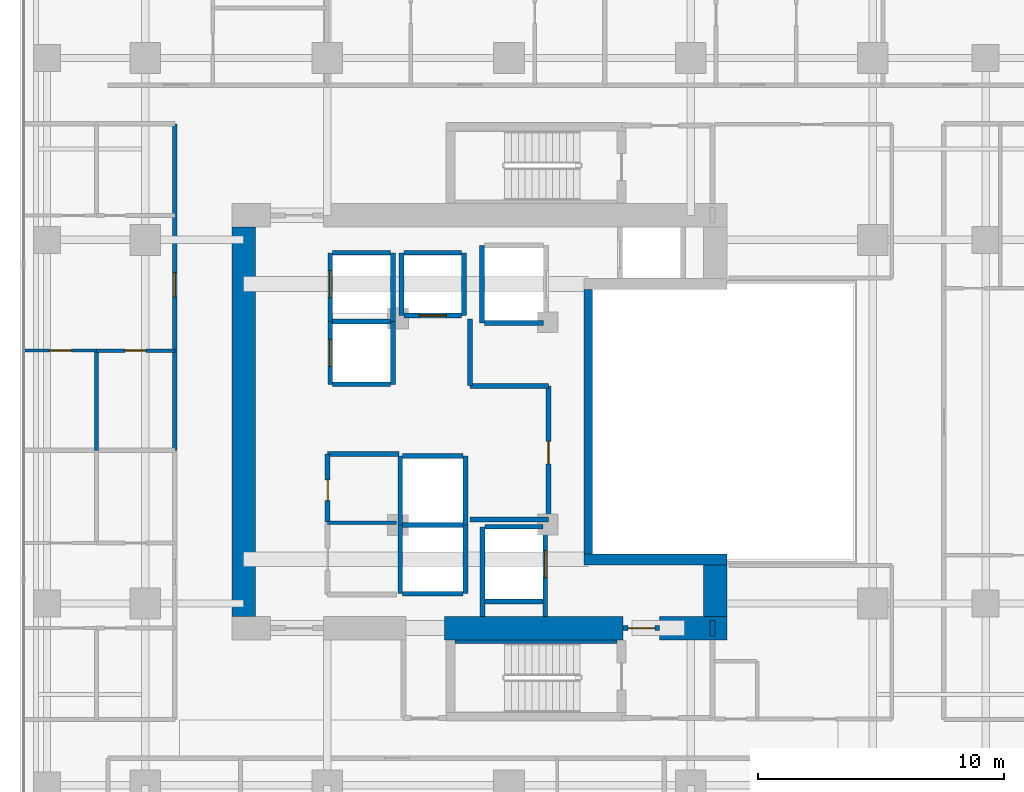
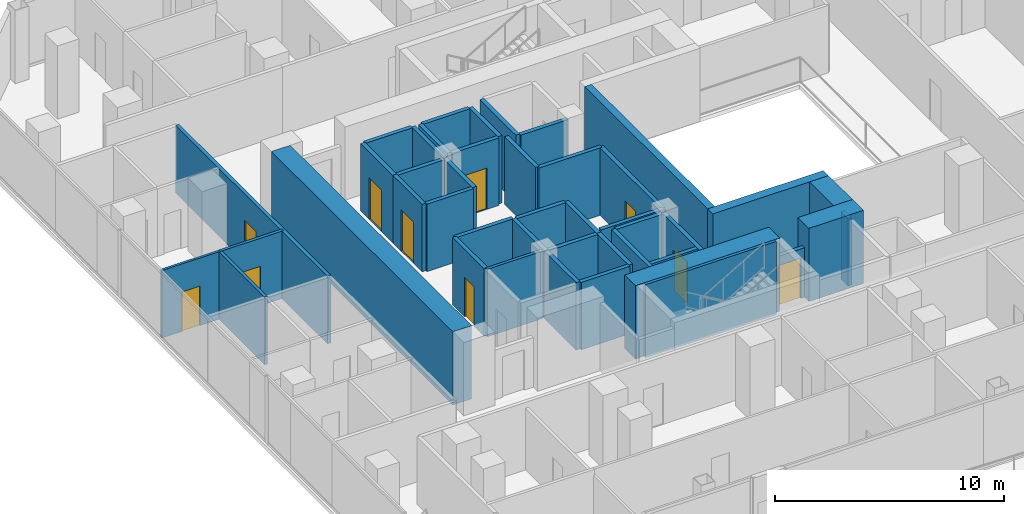
# One storey, part 21 of 27: 44 walls, 10 doors, 10 openings.
"""IFC4 building model written with IfcOpenShell, lengths in metres."""

import ifcopenshell
import ifcopenshell.guid

model = None  # the IFC model being written
_history = None  # IfcOwnerHistory: only IFC2X3 demands one
_inside = {}  # id of a spatial element -> (the spatial element, [elements in it])
_under = {}  # id of a project, library or spatial element -> (it, [spatial elements below it])
_declared = {}  # id of a project -> (the project, [libraries it declares])
_typed = {}  # id of a type object -> (the type object, [elements of that type])
_made_of = {}  # id of a material, layer set ... -> (it, [elements and type objects made of it])


def new_model(schema):
    """Start an empty IFC model of exactly this schema.

    Asked for "IFC4X3", IfcOpenShell would pick the latest addendum, in which some entities
    have other attributes; the version numbers below select the first issue.
    IFC2X3 requires an IfcOwnerHistory on every rooted entity: one is made here for all.
    """
    global model, _history
    if schema == "IFC4X3":
        model = ifcopenshell.file(schema_version=(4, 3, 0, 0))
    else:
        model = ifcopenshell.file(schema=schema)
    _inside.clear()
    _under.clear()
    _declared.clear()
    _typed.clear()
    _made_of.clear()
    _history = None
    if model.schema == "IFC2X3":
        org = make("IfcOrganization", Name="unknown")
        user = make(
            "IfcPersonAndOrganization",
            ThePerson=make("IfcPerson", FamilyName="unknown"),
            TheOrganization=org,
        )
        app = make(
            "IfcApplication",
            ApplicationDeveloper=org,
            Version="unknown",
            ApplicationFullName="unknown",
            ApplicationIdentifier="unknown",
        )
        _history = make(
            "IfcOwnerHistory",
            OwningUser=user,
            OwningApplication=app,
            ChangeAction="ADDED",
            CreationDate=0,
        )
    return model


def make(cls, **values):
    """One entity of the class cls with the attributes given. An attribute that is None is left unset."""
    return model.create_entity(
        cls, **{name: value for name, value in values.items() if value is not None}
    )


def rooted(cls, **values):
    """An entity with a GlobalId (a new one), such as an element, a storey or a relation."""
    return make(cls, GlobalId=ifcopenshell.guid.new(), OwnerHistory=_history, **values)


def si_unit(unit_type, name, prefix=None):
    """IfcSIUnit, for example si_unit("LENGTHUNIT", "METRE", prefix="MILLI")."""
    return make("IfcSIUnit", UnitType=unit_type, Prefix=prefix, Name=name)


def assignment(units):
    """IfcUnitAssignment: the units of a project."""
    return None if units is None else make("IfcUnitAssignment", Units=units)


def point(xyz):
    """IfcCartesianPoint."""
    return None if xyz is None else make("IfcCartesianPoint", Coordinates=xyz)


def direction(xyz):
    """IfcDirection."""
    return None if xyz is None else make("IfcDirection", DirectionRatios=xyz)


def frame(location, z_axis=None, x_axis=None):
    """IfcAxis2Placement3D, a coordinate frame: its origin and axes. An axis left out is left unset."""
    return make(
        "IfcAxis2Placement3D",
        Location=point(location),
        Axis=direction(z_axis),
        RefDirection=direction(x_axis),
    )


def frame_2d(location, x_axis=None):
    """IfcAxis2Placement2D, a coordinate frame in the plane: its origin and x axis."""
    return make(
        "IfcAxis2Placement2D", Location=point(location), RefDirection=direction(x_axis)
    )


def origin():
    """The frame at (0, 0, 0) with its axes left unset."""
    return frame((0.0, 0.0, 0.0))


def place(relative_to, where):
    """IfcLocalPlacement: puts the frame where relative to a parent placement (None: the world)."""
    return make(
        "IfcLocalPlacement", PlacementRelTo=relative_to, RelativePlacement=where
    )


def context(
    kind, dimensions, precision=None, world=None, true_north=None, identifier=None
):
    """IfcGeometricRepresentationContext, for example the 3D "Model" context."""
    return make(
        "IfcGeometricRepresentationContext",
        ContextIdentifier=identifier,
        ContextType=kind,
        CoordinateSpaceDimension=dimensions,
        Precision=precision,
        WorldCoordinateSystem=world,
        TrueNorth=true_north,
    )


def subcontext(parent, identifier, kind, view, scale=None):
    """IfcGeometricRepresentationSubContext, for example "Body" below "Model"."""
    return make(
        "IfcGeometricRepresentationSubContext",
        ContextIdentifier=identifier,
        ContextType=kind,
        ParentContext=parent,
        TargetScale=scale,
        TargetView=view,
    )


def project(units=None, contexts=None):
    """IfcProject with its units and contexts."""
    return rooted(
        "IfcProject",
        Name="project",
        RepresentationContexts=contexts,
        UnitsInContext=assignment(units),
    )


def spatial(cls, under=None, at=None, **own):
    """A site, building, storey or space (cls), placed at a placement, below another one or the project."""
    s = rooted(cls, ObjectPlacement=at, **own)
    if under is not None:
        _under.setdefault(under.id(), (under, []))[1].append(s)
    return s


def profile(cls, at=None, kind="AREA", **sizes):
    """A parametric profile (cls). Its sizes go by their IFC names, for example OverallWidth=200.0."""
    return make(cls, ProfileType=kind, Position=at, **sizes)


def rectangle(**sizes):
    """IfcRectangleProfileDef."""
    return profile("IfcRectangleProfileDef", **sizes)


def extrude(swept, where, along, depth):
    """IfcExtrudedAreaSolid: the profile swept, set in the frame where, extruded along a direction by depth."""
    return make(
        "IfcExtrudedAreaSolid",
        SweptArea=swept,
        Position=where,
        ExtrudedDirection=direction(along),
        Depth=depth,
    )


def shape(context_of_items, identifier, shape_type, items):
    """IfcShapeRepresentation: the items that make up one representation, for example the "Body"."""
    return make(
        "IfcShapeRepresentation",
        ContextOfItems=context_of_items,
        RepresentationIdentifier=identifier,
        RepresentationType=shape_type,
        Items=items,
    )


def material(Name=None, Category=None):
    """IfcMaterial."""
    return make("IfcMaterial", Name=Name, Category=Category)


def layer(
    of_material, thickness, ventilated=None, Name=None, Category=None, Priority=None
):
    """IfcMaterialLayer: one layer of a wall or slab, of a material (None: an air gap)."""
    return make(
        "IfcMaterialLayer",
        Material=of_material,
        LayerThickness=thickness,
        IsVentilated=ventilated,
        Name=Name,
        Category=Category,
        Priority=Priority,
    )


def layer_set(layers, Name=None):
    """IfcMaterialLayerSet."""
    return make("IfcMaterialLayerSet", MaterialLayers=layers, LayerSetName=Name)


def made_of(thing, what):
    """Note that an element or type object is made of a material, layer set ...; save() writes the relation."""
    if what is not None:
        _made_of.setdefault(what.id(), (what, []))[1].append(thing)
    return thing


def type_object(cls, material=None, **own):
    """A type object (cls), such as IfcWallType, which elements share."""
    return made_of(rooted(cls, **own), material)


def element(
    cls,
    number,
    at=None,
    inside=None,
    cuts=None,
    type_object=None,
    material=None,
    context=None,
    identifier="Body",
    shape_type=None,
    held_by="IfcProductDefinitionShape",
    body=None,
    shapes=None,
    **own,
):
    """One element of the class cls, such as IfcWall. Its Tag is "e" and its number.

    at: its placement. inside: the storey or other place that contains it. cuts: it is an
    opening in that element (IfcRelVoidsElement). A single representation is given by context,
    identifier, shape_type and body (its items); several are given by shapes. held_by: the class
    of the entity that holds the representations. save() writes the other relations.
    """
    e = rooted(cls, Tag="e%d" % number, ObjectPlacement=at, **own)
    if body is not None:
        shapes = [shape(context, identifier, shape_type, body)]
    if shapes is not None:
        e.Representation = make(held_by, Representations=shapes)
    if inside is not None:
        _inside.setdefault(inside.id(), (inside, []))[1].append(e)
    if cuts is not None:
        rooted(
            "IfcRelVoidsElement", RelatingBuildingElement=cuts, RelatedOpeningElement=e
        )
    if type_object is not None:
        _typed.setdefault(type_object.id(), (type_object, []))[1].append(e)
    return made_of(e, material)


def fill(opening, filler):
    """IfcRelFillsElement: the door or window that sits in an opening."""
    return rooted(
        "IfcRelFillsElement",
        RelatingOpeningElement=opening,
        RelatedBuildingElement=filler,
    )


def aggregate(whole, parts):
    """IfcRelAggregates: a whole, such as a stair, and the parts it consists of."""
    return rooted("IfcRelAggregates", RelatingObject=whole, RelatedObjects=parts)


def save(model, path):
    """Write the relations noted so far, then the file.

    IfcRelAggregates (storeys below a building ...), IfcRelContainedInSpatialStructure (elements
    in a storey), IfcRelDefinesByType, IfcRelAssociatesMaterial and IfcRelDeclares: one each for
    every whole, place, type object, material and project.
    """
    for whole, parts in _under.values():
        aggregate(whole, parts)
    for where, things in _inside.values():
        rooted(
            "IfcRelContainedInSpatialStructure",
            RelatedElements=things,
            RelatingStructure=where,
        )
    for kind, things in _typed.values():
        rooted("IfcRelDefinesByType", RelatedObjects=things, RelatingType=kind)
    for what, things in _made_of.values():
        rooted("IfcRelAssociatesMaterial", RelatedObjects=things, RelatingMaterial=what)
    for by, libraries in _declared.values():
        rooted("IfcRelDeclares", RelatingContext=by, RelatedDefinitions=libraries)
    model.write(path)


model = new_model("IFC4")

# Units and contexts
model_context = context("Model", 3, precision=1e-05, world=origin(), true_north=direction((0.0, 1.0)))
body_context = subcontext(model_context, "Body", "Model", "MODEL_VIEW")
ifc_project = project(units=[si_unit("LENGTHUNIT", "METRE"), si_unit("AREAUNIT", "SQUARE_METRE"), si_unit("VOLUMEUNIT", "CUBIC_METRE"), si_unit("PLANEANGLEUNIT", "RADIAN"), si_unit("MASSUNIT", "GRAM", prefix="KILO")], contexts=[model_context])

# Site, building, storey
site_placement = place(None, origin())
site = spatial("IfcSite", under=ifc_project, at=site_placement, CompositionType="ELEMENT")
building_placement = place(site_placement, origin())
building = spatial("IfcBuilding", under=site, at=building_placement, Name="Khorvyn Point Tower", CompositionType="ELEMENT")
storey_placement = place(building_placement, frame((0.0, 0.0, 152.39990234375)))
storey = spatial("IfcBuildingStorey", under=building, at=storey_placement, Name="L38", CompositionType="ELEMENT", Elevation=152.39990234375)

# Wall, opening, door
ifc_material_1 = material(Name="Double acoustic gypsum on twin steel stud", Category="steel")
ifc_layer_1 = layer(ifc_material_1, 0.179931640625)
ifc_layer_set_1 = layer_set([ifc_layer_1], Name="Acoustic Double-Stud Apartment Demising Wall 180")
wall_type_1 = type_object("IfcWallType", Name="Acoustic Double-Stud Apartment Demising Wall 180", PredefinedType="PARTITIONING", material=ifc_layer_set_1)
wall_1_placement = place(storey_placement, frame((-13.60009765625, -1.1640625, 0.0), z_axis=(0.0, 0.0, 1.0), x_axis=(0.0, 1.0, 0.0)))
wall_1 = element("IfcWall", 1, at=wall_1_placement, inside=storey, type_object=wall_type_1, Name="Wall", PredefinedType="PARTITIONING", context=body_context, shape_type="SweptSolid", body=[
    extrude(rectangle(XDim=13.2841796875, YDim=0.179931640625, at=frame_2d((6.64208984375, 0.0))), origin(), (0.0, 0.0, 1.0), 3.60009765625),
])
opening_1_placement = place(wall_1_placement, frame((6.231201171875, 0.0, 0.0)))
opening_1 = element("IfcOpeningElement", 2, at=opening_1_placement, cuts=wall_1, Name="Opening ID-AP60", PredefinedType="OPENING", context=body_context, shape_type="SweptSolid", body=[
    extrude(rectangle(XDim=1.0, YDim=2.199951171875, at=frame_2d((0.5, 1.10009765625))), frame((0.0, 0.099853515625, 0.0), z_axis=(0.0, -1.0, 0.0), x_axis=(1.0, 0.0, 0.0)), (0.0, 0.0, 1.0), 0.199951171875),
])
ifc_material_2 = material(Name="Engineered hardwood fire-rated leaf", Category="wood")
door_type_1 = type_object("IfcDoorType", Name="Acoustic Solid-Core Timber Apartment Entrance Door 1000x2200", OperationType="NOTDEFINED", PredefinedType="DOOR", material=ifc_material_2)
door_1_placement = place(opening_1_placement, origin())
door_1 = element("IfcDoor", 3, at=door_1_placement, inside=storey, type_object=door_type_1, Name="Door", OperationType="SINGLE_SWING_LEFT", OverallHeight=2.199951171875, OverallWidth=1.0, PredefinedType="DOOR", context=body_context, shape_type="SweptSolid", body=[
    extrude(rectangle(XDim=1.0, YDim=2.199951171875, at=frame_2d((0.5, 1.10009765625))), frame((0.0, 0.02490234375, 0.0), z_axis=(0.0, -1.0, 0.0), x_axis=(1.0, 0.0, 0.0)), (0.0, 0.0, 1.0), 0.050048828125),
])
fill(opening_1, door_1)

# Wall
ifc_material_3 = material(Name="Concrete C40/50", Category="concrete")
ifc_layer_2 = layer(ifc_material_3, 0.449951171875)
ifc_layer_set_2 = layer_set([ifc_layer_2], Name="Concrete C40/50 Core Shear Wall 450")
wall_type_2 = type_object("IfcWallType", Name="Concrete C40/50 Core Shear Wall 450", PredefinedType="SHEAR", material=ifc_layer_set_2)
wall_2_placement = place(storey_placement, frame((3.044921875, -5.60009765625, 0.0), z_axis=(0.0, 0.0, 1.0), x_axis=(1.0, 0.0, 0.0)))
element("IfcWall", 4, at=wall_2_placement, inside=storey, type_object=wall_type_2, Name="Wall", PredefinedType="SHEAR", context=body_context, shape_type="SweptSolid", body=[
    extrude(rectangle(XDim=5.830078125, YDim=0.449951171875, at=frame_2d((2.9150390625, 0.0))), origin(), (0.0, 0.0, 1.0), 3.900146484375),
])

# Wall, opening, door
ifc_layer_3 = layer(ifc_material_3, 0.199951171875)
ifc_layer_set_3 = layer_set([ifc_layer_3], Name="Concrete C40/50 Fire-Lobby Compartment Wall 200")
wall_type_3 = type_object("IfcWallType", Name="Concrete C40/50 Fire-Lobby Compartment Wall 200", PredefinedType="SOLIDWALL", material=ifc_layer_set_3)
wall_3_placement = place(storey_placement, frame((4.64990234375, -8.39990234375, 0.0), z_axis=(0.0, 0.0, 1.0), x_axis=(1.0, 0.0, 0.0)))
wall_3 = element("IfcWall", 5, at=wall_3_placement, inside=storey, type_object=wall_type_3, Name="Wall", PredefinedType="SOLIDWALL", context=body_context, shape_type="SweptSolid", body=[
    extrude(rectangle(XDim=1.47021484375, YDim=0.199951171875, at=frame_2d((0.735107421875, 0.0))), origin(), (0.0, 0.0, 1.0), 2.64013671875),
])
opening_2_placement = place(wall_3_placement, frame((0.18505859375, 0.0, 0.0)))
opening_2 = element("IfcOpeningElement", 6, at=opening_2_placement, cuts=wall_3, Name="Opening ID-FL90", PredefinedType="OPENING", context=body_context, shape_type="SweptSolid", body=[
    extrude(rectangle(XDim=1.10009765625, YDim=2.14990234375, at=frame_2d((0.550048828125, 1.074951171875))), frame((0.0, 0.10986328125, 0.0), z_axis=(0.0, -1.0, 0.0), x_axis=(1.0, 0.0, 0.0)), (0.0, 0.0, 1.0), 0.219970703125),
])
ifc_material_4 = material(Name="Galvanised powder-coated steel", Category="steel")
door_type_2 = type_object("IfcDoorType", Name="Fire-Rated Steel Lobby and Stair Door 1100x2150", OperationType="NOTDEFINED", PredefinedType="DOOR", material=ifc_material_4)
door_2_placement = place(opening_2_placement, origin())
door_2 = element("IfcDoor", 7, at=door_2_placement, inside=storey, type_object=door_type_2, Name="Door", OperationType="SINGLE_SWING_RIGHT", OverallHeight=2.14990234375, OverallWidth=1.10009765625, PredefinedType="DOOR", context=body_context, shape_type="SweptSolid", body=[
    extrude(rectangle(XDim=1.10009765625, YDim=2.14990234375, at=frame_2d((0.550048828125, 1.074951171875))), frame((0.0, 0.02490234375, 0.0), z_axis=(0.0, -1.0, 0.0), x_axis=(1.0, 0.0, 0.0)), (0.0, 0.0, 1.0), 0.050048828125),
])
fill(opening_2, door_2)

wall_4_placement = place(storey_placement, frame((1.610107421875, -3.97998046875, 0.0), z_axis=(0.0, 0.0, 1.0), x_axis=(0.0, 1.0, 0.0)))
wall_4 = element("IfcWall", 8, at=wall_4_placement, inside=storey, type_object=wall_type_3, Name="Wall", PredefinedType="SOLIDWALL", context=body_context, shape_type="SweptSolid", body=[
    extrude(rectangle(XDim=5.43994140625, YDim=0.199951171875, at=frame_2d((2.719970703125, 0.0))), origin(), (0.0, 0.0, 1.0), 3.60009765625),
])
opening_3_placement = place(wall_4_placement, frame((2.260009765625, 0.0, 0.0)))
opening_3 = element("IfcOpeningElement", 9, at=opening_3_placement, cuts=wall_4, Name="Opening ID-RS60", PredefinedType="OPENING", context=body_context, shape_type="SweptSolid", body=[
    extrude(rectangle(XDim=0.919921875, YDim=2.10009765625, at=frame_2d((0.4599609375, 1.050048828125))), frame((0.0, 0.10986328125, 0.0), z_axis=(0.0, -1.0, 0.0), x_axis=(1.0, 0.0, 0.0)), (0.0, 0.0, 1.0), 0.219970703125),
])
door_type_3 = type_object("IfcDoorType", Name="Fire-Rated Riser and Store Steel Door 920x2100", OperationType="NOTDEFINED", PredefinedType="DOOR", material=ifc_material_4)
door_3_placement = place(opening_3_placement, origin())
door_3 = element("IfcDoor", 10, at=door_3_placement, inside=storey, type_object=door_type_3, Name="Door", OperationType="SINGLE_SWING_LEFT", OverallHeight=2.10009765625, OverallWidth=0.919921875, PredefinedType="DOOR", context=body_context, shape_type="SweptSolid", body=[
    extrude(rectangle(XDim=0.919921875, YDim=2.10009765625, at=frame_2d((0.4599609375, 1.050048828125))), frame((0.0, 0.02490234375, 0.0), z_axis=(0.0, -1.0, 0.0), x_axis=(1.0, 0.0, 0.0)), (0.0, 0.0, 1.0), 0.050048828125),
])
fill(opening_3, door_3)

wall_5_placement = place(storey_placement, frame((-7.3798828125, -4.080078125, 0.0), z_axis=(0.0, 0.0, 1.0), x_axis=(0.0, 1.0, 0.0)))
wall_5 = element("IfcWall", 11, at=wall_5_placement, inside=storey, type_object=wall_type_3, Name="Wall", PredefinedType="SOLIDWALL", context=body_context, shape_type="SweptSolid", body=[
    extrude(rectangle(XDim=2.760009765625, YDim=0.199951171875, at=frame_2d((1.3798828125, 0.0))), origin(), (0.0, 0.0, 1.0), 3.60009765625),
])
opening_4_placement = place(wall_5_placement, frame((0.86669921875, 0.0, 0.0)))
opening_4 = element("IfcOpeningElement", 12, at=opening_4_placement, cuts=wall_5, Name="Opening ID-WC85", PredefinedType="OPENING", context=body_context, shape_type="SweptSolid", body=[
    extrude(rectangle(XDim=0.85009765625, YDim=2.10009765625, at=frame_2d((0.425048828125, 1.050048828125))), frame((0.0, 0.10986328125, 0.0), z_axis=(0.0, -1.0, 0.0), x_axis=(1.0, 0.0, 0.0)), (0.0, 0.0, 1.0), 0.219970703125),
])
ifc_material_5 = material(Name="High-pressure laminate on moisture-resistant core", Category="wood")
door_type_4 = type_object("IfcDoorType", Name="Moisture-Resistant Accessible Washroom Door 850x2100", OperationType="NOTDEFINED", PredefinedType="DOOR", material=ifc_material_5)
door_4_placement = place(opening_4_placement, origin())
door_4 = element("IfcDoor", 13, at=door_4_placement, inside=storey, type_object=door_type_4, Name="Door", OperationType="SINGLE_SWING_LEFT", OverallHeight=2.10009765625, OverallWidth=0.85009765625, PredefinedType="DOOR", context=body_context, shape_type="SweptSolid", body=[
    extrude(rectangle(XDim=0.85009765625, YDim=2.10009765625, at=frame_2d((0.425048828125, 1.050048828125))), frame((0.0, 0.02490234375, 0.0), z_axis=(0.0, -1.0, 0.0), x_axis=(1.0, 0.0, 0.0)), (0.0, 0.0, 1.0), 0.050048828125),
])
fill(opening_4, door_4)

# Walls
wall_6_placement = place(storey_placement, frame((-7.3798828125, -1.320068359375, 0.0), z_axis=(0.0, 0.0, 1.0), x_axis=(1.0, 0.0, 0.0)))
element("IfcWall", 14, at=wall_6_placement, inside=storey, type_object=wall_type_3, Name="Wall", PredefinedType="SOLIDWALL", context=body_context, shape_type="SweptSolid", body=[
    extrude(rectangle(XDim=2.909912109375, YDim=0.199951171875, at=frame_2d((1.455078125, 0.0))), origin(), (0.0, 0.0, 1.0), 3.60009765625),
])
wall_7_placement = place(storey_placement, frame((-1.580078125, 1.47998046875, 0.0), z_axis=(0.0, 0.0, 1.0), x_axis=(0.0, 1.0, 0.0)))
element("IfcWall", 15, at=wall_7_placement, inside=storey, type_object=wall_type_3, Name="Wall", PredefinedType="SOLIDWALL", context=body_context, shape_type="SweptSolid", body=[
    extrude(rectangle(XDim=2.699951171875, YDim=0.199951171875, at=frame_2d((1.35009765625, 0.0))), origin(), (0.0, 0.0, 1.0), 3.60009765625),
])
for number, where, z_axis, x_axis, name in (
    (16, (-1.580078125, -3.97998046875, 0.0), (0.0, 0.0, 1.0), (1.0, 0.0, 0.0), "Wall"),
    (17, (-1.580078125, 1.4599609375, 0.0), (0.0, 0.0, 1.0), (1.0, 0.0, 0.0), "Wall"),
):
    element("IfcWall", number, at=place(storey_placement, frame(where, z_axis=z_axis, x_axis=x_axis)), inside=storey, type_object=wall_type_3, Name=name, PredefinedType="SOLIDWALL", context=body_context, shape_type="SweptSolid", body=[
        extrude(rectangle(XDim=3.190185546875, YDim=0.199951171875, at=frame_2d((1.59521484375, 0.0))), origin(), (0.0, 0.0, 1.0), 3.60009765625),
    ])
wall_8_placement = place(storey_placement, frame((8.280029296875, -8.72509765625, 0.0), z_axis=(0.0, 0.0, 1.0), x_axis=(0.0, 1.0, 0.0)))
element("IfcWall", 18, at=wall_8_placement, inside=storey, type_object=wall_type_3, Name="Wall", PredefinedType="SOLIDWALL", context=body_context, shape_type="SweptSolid", body=[
    extrude(rectangle(XDim=0.625, YDim=0.199951171875, at=frame_2d((0.3125, 0.0))), origin(), (0.0, 0.0, 1.0), 3.60009765625),
])
ifc_layer_4 = layer(ifc_material_3, 0.25)
ifc_layer_set_4 = layer_set([ifc_layer_4], Name="Concrete C40/50 Stair Inner Cheek Structural Wall 250")
wall_type_4 = type_object("IfcWallType", Name="Concrete C40/50 Stair Inner Cheek Structural Wall 250", PredefinedType="SHEAR", material=ifc_layer_set_4)
wall_9_placement = place(storey_placement, frame((-2.199951171875, -8.949951171875, 0.0), z_axis=(0.0, 0.0, 1.0), x_axis=(1.0, 0.0, 0.0)))
element("IfcWall", 19, at=wall_9_placement, inside=storey, type_object=wall_type_4, Name="Wall", PredefinedType="SHEAR", context=body_context, shape_type="SweptSolid", body=[
    extrude(rectangle(XDim=6.599853515625, YDim=0.14990234375, at=frame_2d((3.2998046875, 0.0))), origin(), (0.0, 0.0, 1.0), 3.900146484375),
])
ifc_layer_5 = layer(ifc_material_3, 0.35009765625)
ifc_layer_set_5 = layer_set([ifc_layer_5], Name="Concrete C40/50 Stair Shaft Structural Wall 350")
wall_type_5 = type_object("IfcWallType", Name="Concrete C40/50 Stair Shaft Structural Wall 350", PredefinedType="SHEAR", material=ifc_layer_set_5)
wall_10_placement = place(storey_placement, frame((3.219970703125, -5.375, 0.0), z_axis=(0.0, 0.0, 1.0), x_axis=(0.0, 1.0, 0.0)))
element("IfcWall", 20, at=wall_10_placement, inside=storey, type_object=wall_type_5, Name="Wall", PredefinedType="SHEAR", context=body_context, shape_type="SweptSolid", body=[
    extrude(rectangle(XDim=10.75, YDim=0.35009765625, at=frame_2d((5.375, 0.0))), origin(), (0.0, 0.0, 1.0), 3.900146484375),
])

# Wall, opening, door
ifc_layer_6 = layer(ifc_material_3, 0.199951171875)
ifc_layer_set_6 = layer_set([ifc_layer_6], Name="Concrete C40/50 Structural Hoistway and Stair Shaft Wall 200")
wall_type_6 = type_object("IfcWallType", Name="Concrete C40/50 Structural Hoistway and Stair Shaft Wall 200", PredefinedType="SHEAR", material=ifc_layer_set_6)
wall_11_placement = place(storey_placement, frame((-7.27490234375, 1.52490234375, 0.0), z_axis=(0.0, 0.0, 1.0), x_axis=(0.0, 1.0, 0.0)))
wall_11 = element("IfcWall", 21, at=wall_11_placement, inside=storey, type_object=wall_type_6, Name="Wall", PredefinedType="SHEAR", context=body_context, shape_type="SweptSolid", body=[
    extrude(rectangle(XDim=2.550048828125, YDim=0.199951171875, at=frame_2d((1.27490234375, 0.0))), origin(), (0.0, 0.0, 1.0), 3.60009765625),
])
opening_5_placement = place(wall_11_placement, frame((0.72509765625, 0.0, 0.0)))
opening_5 = element("IfcOpeningElement", 22, at=opening_5_placement, cuts=wall_11, Name="Opening LD-1122", PredefinedType="OPENING", context=body_context, shape_type="SweptSolid", body=[
    extrude(rectangle(XDim=1.10009765625, YDim=2.199951171875, at=frame_2d((0.550048828125, 1.10009765625))), frame((0.0, 0.10986328125, 0.0), z_axis=(0.0, -1.0, 0.0), x_axis=(1.0, 0.0, 0.0)), (0.0, 0.0, 1.0), 0.219970703125),
])
ifc_material_6 = material(Name="Stainless steel 1.4301", Category="steel")
door_type_5 = type_object("IfcDoorType", Name="Stainless Steel Automatic Sliding Lift Landing Door 1100x2200", OperationType="SLIDING_TO_LEFT", PredefinedType="DOOR", material=ifc_material_6)
door_5_placement = place(opening_5_placement, origin())
door_5 = element("IfcDoor", 23, at=door_5_placement, inside=storey, type_object=door_type_5, Name="L38 RM-01 Sliding Lift Landing Door", OperationType="SLIDING_TO_LEFT", OverallHeight=2.199951171875, OverallWidth=1.10009765625, PredefinedType="DOOR", context=body_context, shape_type="SweptSolid", body=[
    extrude(rectangle(XDim=1.10009765625, YDim=2.199951171875, at=frame_2d((0.550048828125, 1.10009765625))), frame((0.0, 0.02490234375, 0.0), z_axis=(0.0, -1.0, 0.0), x_axis=(1.0, 0.0, 0.0)), (0.0, 0.0, 1.0), 0.050048828125),
])
fill(opening_5, door_5)

# Walls
wall_12_placement = place(storey_placement, frame((-4.72509765625, 1.52490234375, 0.0), z_axis=(0.0, 0.0, 1.0), x_axis=(0.0, 1.0, 0.0)))
element("IfcWall", 24, at=wall_12_placement, inside=storey, type_object=wall_type_6, Name="Wall", PredefinedType="SHEAR", context=body_context, shape_type="SweptSolid", body=[
    extrude(rectangle(XDim=2.550048828125, YDim=0.199951171875, at=frame_2d((1.27490234375, 0.0))), origin(), (0.0, 0.0, 1.0), 3.60009765625),
])
for number, where, z_axis, x_axis, name in (
    (25, (-7.175048828125, 1.52490234375, 0.0), (0.0, 0.0, 1.0), (1.0, 0.0, 0.0), "Wall"),
    (26, (-7.175048828125, 4.074951171875, 0.0), (0.0, 0.0, 1.0), (1.0, 0.0, 0.0), "Wall"),
):
    element("IfcWall", number, at=place(storey_placement, frame(where, z_axis=z_axis, x_axis=x_axis)), inside=storey, type_object=wall_type_6, Name=name, PredefinedType="SHEAR", context=body_context, shape_type="SweptSolid", body=[
        extrude(rectangle(XDim=2.35009765625, YDim=0.199951171875, at=frame_2d((1.175048828125, 0.0))), origin(), (0.0, 0.0, 1.0), 3.60009765625),
    ])

# Wall, opening, door
wall_13_placement = place(storey_placement, frame((-7.27490234375, 4.074951171875, 0.0), z_axis=(0.0, 0.0, 1.0), x_axis=(0.0, 1.0, 0.0)))
wall_13 = element("IfcWall", 27, at=wall_13_placement, inside=storey, type_object=wall_type_6, Name="Wall", PredefinedType="SHEAR", context=body_context, shape_type="SweptSolid", body=[
    extrude(rectangle(XDim=2.800048828125, YDim=0.199951171875, at=frame_2d((1.39990234375, 0.0))), origin(), (0.0, 0.0, 1.0), 3.60009765625),
])
opening_6_placement = place(wall_13_placement, frame((0.97509765625, 0.0, 0.0)))
opening_6 = element("IfcOpeningElement", 28, at=opening_6_placement, cuts=wall_13, Name="Opening LD-1122", PredefinedType="OPENING", context=body_context, shape_type="SweptSolid", body=[
    extrude(rectangle(XDim=1.10009765625, YDim=2.199951171875, at=frame_2d((0.550048828125, 1.10009765625))), frame((0.0, 0.10986328125, 0.0), z_axis=(0.0, -1.0, 0.0), x_axis=(1.0, 0.0, 0.0)), (0.0, 0.0, 1.0), 0.219970703125),
])
door_6_placement = place(opening_6_placement, origin())
door_6 = element("IfcDoor", 29, at=door_6_placement, inside=storey, type_object=door_type_5, Name="L38 RM-02 Sliding Lift Landing Door", OperationType="SLIDING_TO_LEFT", OverallHeight=2.199951171875, OverallWidth=1.10009765625, PredefinedType="DOOR", context=body_context, shape_type="SweptSolid", body=[
    extrude(rectangle(XDim=1.10009765625, YDim=2.199951171875, at=frame_2d((0.550048828125, 1.10009765625))), frame((0.0, 0.02490234375, 0.0), z_axis=(0.0, -1.0, 0.0), x_axis=(1.0, 0.0, 0.0)), (0.0, 0.0, 1.0), 0.050048828125),
])
fill(opening_6, door_6)

# Walls
wall_14_placement = place(storey_placement, frame((-4.72509765625, 4.074951171875, 0.0), z_axis=(0.0, 0.0, 1.0), x_axis=(0.0, 1.0, 0.0)))
element("IfcWall", 30, at=wall_14_placement, inside=storey, type_object=wall_type_6, Name="Wall", PredefinedType="SHEAR", context=body_context, shape_type="SweptSolid", body=[
    extrude(rectangle(XDim=2.800048828125, YDim=0.199951171875, at=frame_2d((1.39990234375, 0.0))), origin(), (0.0, 0.0, 1.0), 3.60009765625),
])
wall_15_placement = place(storey_placement, frame((-7.175048828125, 6.875, 0.0), z_axis=(0.0, 0.0, 1.0), x_axis=(1.0, 0.0, 0.0)))
element("IfcWall", 31, at=wall_15_placement, inside=storey, type_object=wall_type_6, Name="Wall", PredefinedType="SHEAR", context=body_context, shape_type="SweptSolid", body=[
    extrude(rectangle(XDim=2.35009765625, YDim=0.199951171875, at=frame_2d((1.175048828125, 0.0))), origin(), (0.0, 0.0, 1.0), 3.60009765625),
])
for number, where, z_axis, x_axis, name in (
    (32, (-4.375, 4.324951171875, 0.0), (0.0, 0.0, 1.0), (0.0, 1.0, 0.0), "Wall"),
    (33, (-1.824951171875, 4.324951171875, 0.0), (0.0, 0.0, 1.0), (0.0, 1.0, 0.0), "Wall"),
):
    element("IfcWall", number, at=place(storey_placement, frame(where, z_axis=z_axis, x_axis=x_axis)), inside=storey, type_object=wall_type_6, Name=name, PredefinedType="SHEAR", context=body_context, shape_type="SweptSolid", body=[
        extrude(rectangle(XDim=2.550048828125, YDim=0.199951171875, at=frame_2d((1.27490234375, 0.0))), origin(), (0.0, 0.0, 1.0), 3.60009765625),
    ])

# Wall, opening, door
wall_16_placement = place(storey_placement, frame((-4.27490234375, 4.324951171875, 0.0), z_axis=(0.0, 0.0, 1.0), x_axis=(1.0, 0.0, 0.0)))
wall_16 = element("IfcWall", 34, at=wall_16_placement, inside=storey, type_object=wall_type_6, Name="Wall", PredefinedType="SHEAR", context=body_context, shape_type="SweptSolid", body=[
    extrude(rectangle(XDim=2.349853515625, YDim=0.199951171875, at=frame_2d((1.1748046875, 0.0))), origin(), (0.0, 0.0, 1.0), 3.60009765625),
])
opening_7_placement = place(wall_16_placement, frame((0.625, 0.0, 0.0)))
opening_7 = element("IfcOpeningElement", 35, at=opening_7_placement, cuts=wall_16, Name="Opening LD-1122", PredefinedType="OPENING", context=body_context, shape_type="SweptSolid", body=[
    extrude(rectangle(XDim=1.10009765625, YDim=2.199951171875, at=frame_2d((0.550048828125, 1.10009765625))), frame((0.0, 0.10986328125, 0.0), z_axis=(0.0, -1.0, 0.0), x_axis=(1.0, 0.0, 0.0)), (0.0, 0.0, 1.0), 0.219970703125),
])
door_7_placement = place(opening_7_placement, origin())
door_7 = element("IfcDoor", 36, at=door_7_placement, inside=storey, type_object=door_type_5, Name="L38 RM-03 Sliding Lift Landing Door", OperationType="SLIDING_TO_LEFT", OverallHeight=2.199951171875, OverallWidth=1.10009765625, PredefinedType="DOOR", context=body_context, shape_type="SweptSolid", body=[
    extrude(rectangle(XDim=1.10009765625, YDim=2.199951171875, at=frame_2d((0.550048828125, 1.10009765625))), frame((0.0, 0.02490234375, 0.0), z_axis=(0.0, -1.0, 0.0), x_axis=(1.0, 0.0, 0.0)), (0.0, 0.0, 1.0), 0.050048828125),
])
fill(opening_7, door_7)

# Walls
wall_17_placement = place(storey_placement, frame((-4.27490234375, 6.875, 0.0), z_axis=(0.0, 0.0, 1.0), x_axis=(1.0, 0.0, 0.0)))
element("IfcWall", 37, at=wall_17_placement, inside=storey, type_object=wall_type_6, Name="Wall", PredefinedType="SHEAR", context=body_context, shape_type="SweptSolid", body=[
    extrude(rectangle(XDim=2.349853515625, YDim=0.199951171875, at=frame_2d((1.1748046875, 0.0))), origin(), (0.0, 0.0, 1.0), 3.60009765625),
])
for number, where, z_axis, x_axis, name in (
    (38, (-4.425048828125, -7.0, 0.0), (0.0, 0.0, 1.0), (0.0, 1.0, 0.0), "Wall"),
    (39, (-1.77490234375, -7.0, 0.0), (0.0, 0.0, 1.0), (0.0, 1.0, 0.0), "Wall"),
):
    element("IfcWall", number, at=place(storey_placement, frame(where, z_axis=z_axis, x_axis=x_axis)), inside=storey, type_object=wall_type_6, Name=name, PredefinedType="SHEAR", context=body_context, shape_type="SweptSolid", body=[
        extrude(rectangle(XDim=2.800048828125, YDim=0.199951171875, at=frame_2d((1.39990234375, 0.0))), origin(), (0.0, 0.0, 1.0), 3.60009765625),
    ])
for number, where, z_axis, x_axis, name in (
    (40, (-4.324951171875, -7.0, 0.0), (0.0, 0.0, 1.0), (1.0, 0.0, 0.0), "Wall"),
    (41, (-4.324951171875, -4.199951171875, 0.0), (0.0, 0.0, 1.0), (1.0, 0.0, 0.0), "Wall"),
):
    element("IfcWall", number, at=place(storey_placement, frame(where, z_axis=z_axis, x_axis=x_axis)), inside=storey, type_object=wall_type_6, Name=name, PredefinedType="SHEAR", context=body_context, shape_type="SweptSolid", body=[
        extrude(rectangle(XDim=2.449951171875, YDim=0.199951171875, at=frame_2d((1.22509765625, 0.0))), origin(), (0.0, 0.0, 1.0), 3.60009765625),
    ])
for number, where, z_axis, x_axis, name in (
    (42, (-4.425048828125, -4.199951171875, 0.0), (0.0, 0.0, 1.0), (0.0, 1.0, 0.0), "Wall"),
    (43, (-1.77490234375, -4.199951171875, 0.0), (0.0, 0.0, 1.0), (0.0, 1.0, 0.0), "Wall"),
):
    element("IfcWall", number, at=place(storey_placement, frame(where, z_axis=z_axis, x_axis=x_axis)), inside=storey, type_object=wall_type_6, Name=name, PredefinedType="SHEAR", context=body_context, shape_type="SweptSolid", body=[
        extrude(rectangle(XDim=2.800048828125, YDim=0.199951171875, at=frame_2d((1.39990234375, 0.0))), origin(), (0.0, 0.0, 1.0), 3.60009765625),
    ])
wall_18_placement = place(storey_placement, frame((-4.324951171875, -1.39990234375, 0.0), z_axis=(0.0, 0.0, 1.0), x_axis=(1.0, 0.0, 0.0)))
element("IfcWall", 44, at=wall_18_placement, inside=storey, type_object=wall_type_6, Name="Wall", PredefinedType="SHEAR", context=body_context, shape_type="SweptSolid", body=[
    extrude(rectangle(XDim=2.449951171875, YDim=0.199951171875, at=frame_2d((1.22509765625, 0.0))), origin(), (0.0, 0.0, 1.0), 3.60009765625),
])
wall_19_placement = place(storey_placement, frame((-1.10009765625, 4.02490234375, 0.0), z_axis=(0.0, 0.0, 1.0), x_axis=(0.0, 1.0, 0.0)))
element("IfcWall", 45, at=wall_19_placement, inside=storey, type_object=wall_type_6, Name="Wall", PredefinedType="SHEAR", context=body_context, shape_type="SweptSolid", body=[
    extrude(rectangle(XDim=3.150146484375, YDim=0.199951171875, at=frame_2d((1.5751953125, 0.0))), origin(), (0.0, 0.0, 1.0), 3.60009765625),
])
wall_20_placement = place(storey_placement, frame((-1.0, 4.02490234375, 0.0), z_axis=(0.0, 0.0, 1.0), x_axis=(1.0, 0.0, 0.0)))
element("IfcWall", 46, at=wall_20_placement, inside=storey, type_object=wall_type_6, Name="Wall", PredefinedType="SHEAR", context=body_context, shape_type="SweptSolid", body=[
    extrude(rectangle(XDim=2.39990234375, YDim=0.199951171875, at=frame_2d((1.199951171875, 0.0))), origin(), (0.0, 0.0, 1.0), 3.60009765625),
])
wall_21_placement = place(storey_placement, frame((-1.074951171875, -7.925048828125, 0.0), z_axis=(0.0, 0.0, 1.0), x_axis=(0.0, 1.0, 0.0)))
element("IfcWall", 47, at=wall_21_placement, inside=storey, type_object=wall_type_6, Name="Wall", PredefinedType="SHEAR", context=body_context, shape_type="SweptSolid", body=[
    extrude(rectangle(XDim=3.650146484375, YDim=0.199951171875, at=frame_2d((1.8251953125, 0.0))), origin(), (0.0, 0.0, 1.0), 3.60009765625),
])

# Wall, opening, door
wall_22_placement = place(storey_placement, frame((1.47509765625, -7.925048828125, 0.0), z_axis=(0.0, 0.0, 1.0), x_axis=(0.0, 1.0, 0.0)))
wall_22 = element("IfcWall", 48, at=wall_22_placement, inside=storey, type_object=wall_type_6, Name="Wall", PredefinedType="SHEAR", context=body_context, shape_type="SweptSolid", body=[
    extrude(rectangle(XDim=3.650146484375, YDim=0.199951171875, at=frame_2d((1.8251953125, 0.0))), origin(), (0.0, 0.0, 1.0), 3.60009765625),
])
opening_8_placement = place(wall_22_placement, frame((1.574951171875, 0.0, 0.0)))
opening_8 = element("IfcOpeningElement", 49, at=opening_8_placement, cuts=wall_22, Name="Opening LD-1122", PredefinedType="OPENING", context=body_context, shape_type="SweptSolid", body=[
    extrude(rectangle(XDim=1.10009765625, YDim=2.199951171875, at=frame_2d((0.550048828125, 1.10009765625))), frame((0.0, 0.10986328125, 0.0), z_axis=(0.0, -1.0, 0.0), x_axis=(1.0, 0.0, 0.0)), (0.0, 0.0, 1.0), 0.219970703125),
])
door_8_placement = place(opening_8_placement, origin())
door_8 = element("IfcDoor", 50, at=door_8_placement, inside=storey, type_object=door_type_5, Name="L38 FF-01 Sliding Lift Landing Door", OperationType="SLIDING_TO_LEFT", OverallHeight=2.199951171875, OverallWidth=1.10009765625, PredefinedType="DOOR", context=body_context, shape_type="SweptSolid", body=[
    extrude(rectangle(XDim=1.10009765625, YDim=2.199951171875, at=frame_2d((0.550048828125, 1.10009765625))), frame((0.0, 0.02490234375, 0.0), z_axis=(0.0, -1.0, 0.0), x_axis=(1.0, 0.0, 0.0)), (0.0, 0.0, 1.0), 0.050048828125),
])
fill(opening_8, door_8)

# Walls
for number, where, z_axis, x_axis, name in (
    (51, (-0.97509765625, -7.324951171875, 0.0), (0.0, 0.0, 1.0), (1.0, 0.0, 0.0), "Wall"),
    (52, (-0.97509765625, -4.27490234375, 0.0), (0.0, 0.0, 1.0), (1.0, 0.0, 0.0), "Wall"),
):
    element("IfcWall", number, at=place(storey_placement, frame(where, z_axis=z_axis, x_axis=x_axis)), inside=storey, type_object=wall_type_6, Name=name, PredefinedType="SHEAR", context=body_context, shape_type="SweptSolid", body=[
        extrude(rectangle(XDim=2.35009765625, YDim=0.199951171875, at=frame_2d((1.175048828125, 0.0))), origin(), (0.0, 0.0, 1.0), 3.60009765625),
    ])
ifc_material_7 = material(Name="Concrete C50/60", Category="concrete")
ifc_layer_7 = layer(ifc_material_7, 0.949951171875)
ifc_layer_set_7 = layer_set([ifc_layer_7], Name="Concrete C50/60 Core Shear Wall 950")
wall_type_7 = type_object("IfcWallType", Name="Concrete C50/60 Core Shear Wall 950", PredefinedType="SHEAR", material=ifc_layer_set_7)
wall_23_placement = place(storey_placement, frame((-2.6201171875, -8.39990234375, 0.0), z_axis=(0.0, 0.0, 1.0), x_axis=(1.0, 0.0, 0.0)))
element("IfcWall", 53, at=wall_23_placement, inside=storey, type_object=wall_type_7, Name="Wall", PredefinedType="SHEAR", context=body_context, shape_type="SweptSolid", body=[
    extrude(rectangle(XDim=7.27001953125, YDim=0.949951171875, at=frame_2d((3.635009765625, 0.0))), origin(), (0.0, 0.0, 1.0), 3.900146484375),
])
wall_24_placement = place(storey_placement, frame((6.1201171875, -8.39990234375, 0.0), z_axis=(0.0, 0.0, 1.0), x_axis=(1.0, 0.0, 0.0)))
element("IfcWall", 54, at=wall_24_placement, inside=storey, type_object=wall_type_7, Name="Wall", PredefinedType="SHEAR", context=body_context, shape_type="SweptSolid", body=[
    extrude(rectangle(XDim=2.7548828125, YDim=0.949951171875, at=frame_2d((1.37744140625, 0.0))), origin(), (0.0, 0.0, 1.0), 3.900146484375),
])
wall_25_placement = place(storey_placement, frame((-10.800048828125, -7.925048828125, 0.0), z_axis=(0.0, 0.0, 1.0), x_axis=(0.0, 1.0, 0.0)))
element("IfcWall", 55, at=wall_25_placement, inside=storey, type_object=wall_type_7, Name="Wall", PredefinedType="SHEAR", context=body_context, shape_type="SweptSolid", body=[
    extrude(rectangle(XDim=15.85009765625, YDim=0.949951171875, at=frame_2d((7.925048828125, 0.0))), origin(), (0.0, 0.0, 1.0), 3.900146484375),
])
wall_26_placement = place(storey_placement, frame((8.39990234375, -7.925048828125, 0.0), z_axis=(0.0, 0.0, 1.0), x_axis=(0.0, 1.0, 0.0)))
element("IfcWall", 56, at=wall_26_placement, inside=storey, type_object=wall_type_7, Name="Wall", PredefinedType="SHEAR", context=body_context, shape_type="SweptSolid", body=[
    extrude(rectangle(XDim=2.10009765625, YDim=0.949951171875, at=frame_2d((1.050048828125, 0.0))), origin(), (0.0, 0.0, 1.0), 3.900146484375),
])

# Wall, opening, door
ifc_material_8 = material(Name="Gypsum plasterboard on steel stud", Category="steel")
ifc_layer_8 = layer(ifc_material_8, 0.1201171875)
ifc_layer_set_8 = layer_set([ifc_layer_8], Name="Gypsum Acoustic Stud Room Partition Wall 120")
wall_type_8 = type_object("IfcWallType", Name="Gypsum Acoustic Stud Room Partition Wall 120", PredefinedType="PARTITIONING", material=ifc_layer_set_8)
wall_27_placement = place(storey_placement, frame((-19.72998046875, 2.89404296875, 0.0), z_axis=(0.0, 0.0, 1.0), x_axis=(1.0, 0.0, 0.0)))
wall_27 = element("IfcWall", 57, at=wall_27_placement, inside=storey, type_object=wall_type_8, Name="Wall", PredefinedType="PARTITIONING", context=body_context, shape_type="SweptSolid", body=[
    extrude(rectangle(XDim=2.946044921875, YDim=0.1201171875, at=frame_2d((1.47314453125, 0.0))), origin(), (0.0, 0.0, 1.0), 3.60009765625),
])
opening_9_placement = place(wall_27_placement, frame((1.02294921875, 0.0, 0.0)))
opening_9 = element("IfcOpeningElement", 58, at=opening_9_placement, cuts=wall_27, Name="Opening ID-RM90", PredefinedType="OPENING", context=body_context, shape_type="SweptSolid", body=[
    extrude(rectangle(XDim=0.89990234375, YDim=2.10009765625, at=frame_2d((0.449951171875, 1.050048828125))), frame((0.0, 0.070068359375, 0.0), z_axis=(0.0, -1.0, 0.0), x_axis=(1.0, 0.0, 0.0)), (0.0, 0.0, 1.0), 0.14013671875),
])
ifc_material_9 = material(Name="Engineered oak veneer timber", Category="wood")
door_type_6 = type_object("IfcDoorType", Name="Flush Engineered Timber Room Door 900x2100", OperationType="NOTDEFINED", PredefinedType="DOOR", material=ifc_material_9)
door_9_placement = place(opening_9_placement, origin())
door_9 = element("IfcDoor", 59, at=door_9_placement, inside=storey, type_object=door_type_6, Name="Door", OperationType="SINGLE_SWING_RIGHT", OverallHeight=2.10009765625, OverallWidth=0.89990234375, PredefinedType="DOOR", context=body_context, shape_type="SweptSolid", body=[
    extrude(rectangle(XDim=0.89990234375, YDim=2.10009765625, at=frame_2d((0.449951171875, 1.050048828125))), frame((0.0, 0.02490234375, 0.0), z_axis=(0.0, -1.0, 0.0), x_axis=(1.0, 0.0, 0.0)), (0.0, 0.0, 1.0), 0.050048828125),
])
fill(opening_9, door_9)

ifc_material_10 = material(Name="Moisture-resistant gypsum and cement board", Category="gypsum")
ifc_layer_9 = layer(ifc_material_10, 0.14990234375)
ifc_layer_set_9 = layer_set([ifc_layer_9], Name="Moisture-Resistant Wet-Room Partition Wall 150")
wall_type_9 = type_object("IfcWallType", Name="Moisture-Resistant Wet-Room Partition Wall 150", PredefinedType="PARTITIONING", material=ifc_layer_set_9)
wall_28_placement = place(storey_placement, frame((-16.783935546875, 2.89404296875, 0.0), z_axis=(0.0, 0.0, 1.0), x_axis=(1.0, 0.0, 0.0)))
wall_28 = element("IfcWall", 60, at=wall_28_placement, inside=storey, type_object=wall_type_9, Name="Wall", PredefinedType="PARTITIONING", context=body_context, shape_type="SweptSolid", body=[
    extrude(rectangle(XDim=3.183837890625, YDim=0.14990234375, at=frame_2d((1.591796875, 0.0))), origin(), (0.0, 0.0, 1.0), 3.60009765625),
])
opening_10_placement = place(wall_28_placement, frame((1.1669921875, 0.0, 0.0)))
opening_10 = element("IfcOpeningElement", 61, at=opening_10_placement, cuts=wall_28, Name="Opening ID-WC85", PredefinedType="OPENING", context=body_context, shape_type="SweptSolid", body=[
    extrude(rectangle(XDim=0.85009765625, YDim=2.10009765625, at=frame_2d((0.425048828125, 1.050048828125))), frame((0.0, 0.0849609375, 0.0), z_axis=(0.0, -1.0, 0.0), x_axis=(1.0, 0.0, 0.0)), (0.0, 0.0, 1.0), 0.169921875),
])
door_10_placement = place(opening_10_placement, origin())
door_10 = element("IfcDoor", 62, at=door_10_placement, inside=storey, type_object=door_type_4, Name="Door", OperationType="SINGLE_SWING_LEFT", OverallHeight=2.10009765625, OverallWidth=0.85009765625, PredefinedType="DOOR", context=body_context, shape_type="SweptSolid", body=[
    extrude(rectangle(XDim=0.85009765625, YDim=2.10009765625, at=frame_2d((0.425048828125, 1.050048828125))), frame((0.0, 0.02490234375, 0.0), z_axis=(0.0, -1.0, 0.0), x_axis=(1.0, 0.0, 0.0)), (0.0, 0.0, 1.0), 0.050048828125),
])
fill(opening_10, door_10)

# Walls
wall_29_placement = place(storey_placement, frame((-7.3798828125, -4.110107421875, 0.0), z_axis=(0.0, 0.0, 1.0), x_axis=(1.0, 0.0, 0.0)))
element("IfcWall", 63, at=wall_29_placement, inside=storey, type_object=wall_type_9, Name="Wall", PredefinedType="PARTITIONING", context=body_context, shape_type="SweptSolid", body=[
    extrude(rectangle(XDim=2.7998046875, YDim=0.14990234375, at=frame_2d((1.39990234375, 0.0))), origin(), (0.0, 0.0, 1.0), 3.60009765625),
])
wall_30_placement = place(storey_placement, frame((-16.783935546875, -1.1640625, 0.0), z_axis=(0.0, 0.0, 1.0), x_axis=(0.0, 1.0, 0.0)))
element("IfcWall", 64, at=wall_30_placement, inside=storey, type_object=wall_type_9, Name="Wall", PredefinedType="PARTITIONING", context=body_context, shape_type="SweptSolid", body=[
    extrude(rectangle(XDim=4.05810546875, YDim=0.14990234375, at=frame_2d((2.029052734375, 0.0))), origin(), (0.0, 0.0, 1.0), 3.60009765625),
])

save(model, "model.ifc")
